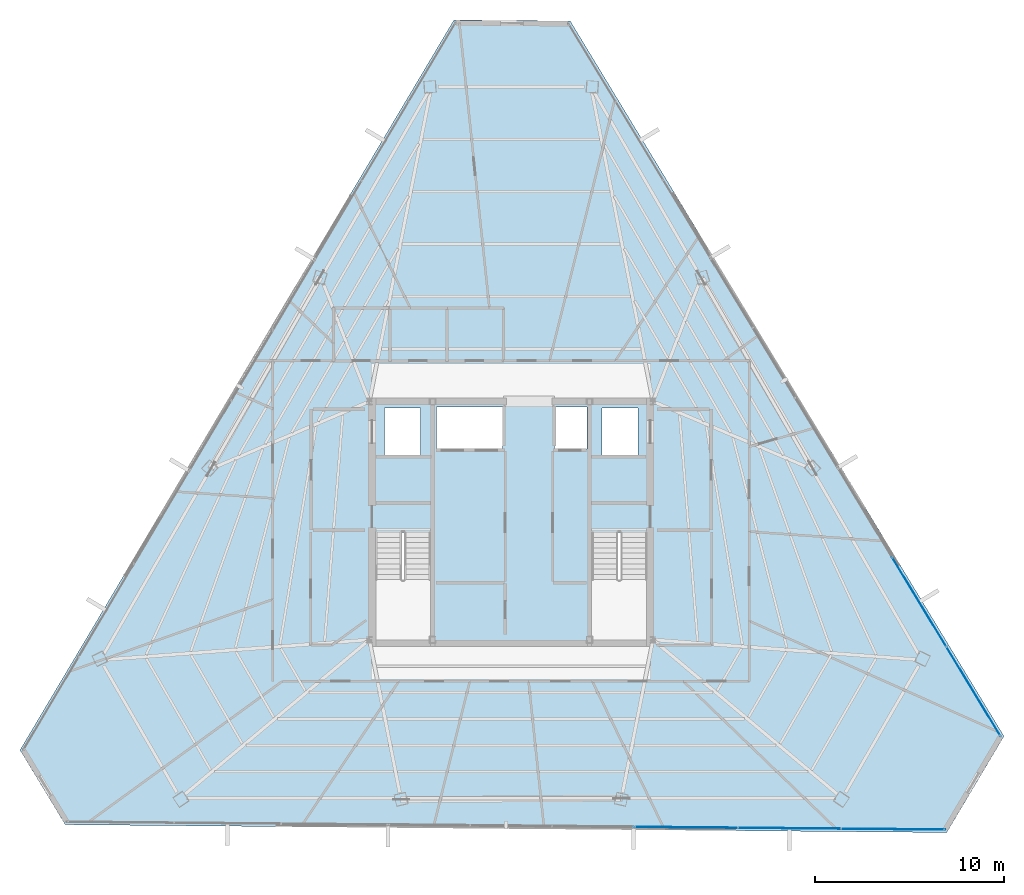
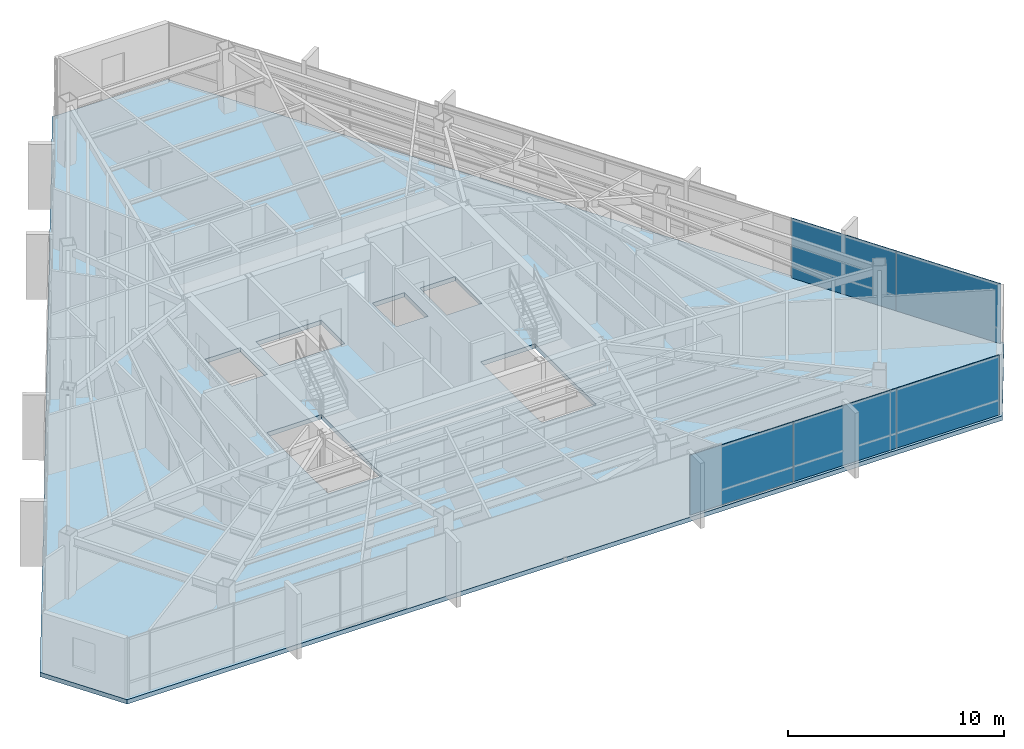
# One storey, part 38 of 46: 5 plates, 1 slab, 2 elements without a shape of their own.
"""IFC4 building model written with IfcOpenShell, lengths in metres."""

from ifc_helpers import new_model, si_unit, direction, frame, origin, origin_2d, place, context, subcontext, project, spatial, polyline, rectangle, outline, extrude, source, transform, mapped, material, layer, layer_set, type_object, type_shapes, element, aggregate, save


model = new_model("IFC4")

# Units and contexts
model_context = context("Model", 3, precision=1e-05, world=origin(), true_north=direction((0.0, 1.0)))
body_context = subcontext(model_context, "Body", "Model", "MODEL_VIEW")
ifc_project = project(units=[si_unit("LENGTHUNIT", "METRE"), si_unit("AREAUNIT", "SQUARE_METRE"), si_unit("VOLUMEUNIT", "CUBIC_METRE"), si_unit("PLANEANGLEUNIT", "RADIAN"), si_unit("MASSUNIT", "GRAM", prefix="KILO")], contexts=[model_context])

# Site, building, storey
site_placement = place(None, origin())
site = spatial("IfcSite", under=ifc_project, at=site_placement, CompositionType="ELEMENT")
building_placement = place(site_placement, origin())
building = spatial("IfcBuilding", under=site, at=building_placement, Name="Caelisora Broadcast Tower", CompositionType="ELEMENT")
storey_placement = place(building_placement, frame((0.0, 0.0, 237.14990234375)))
storey = spatial("IfcBuildingStorey", under=building, at=storey_placement, Name="L62", CompositionType="ELEMENT", Elevation=237.14990234375)

# Slab
ifc_material_1 = material(Name="Concrete 40 MPa (AS 3600 N40)", Category="concrete")
ifc_layer_1 = layer(ifc_material_1, 0.25, Name="Concrete 40 MPa (AS 3600 N40)")
ifc_layer_set_1 = layer_set([ifc_layer_1], Name="Concrete 40 MPa (AS 3600 N40)")
slab_type = type_object("IfcSlabType", Name="SL04", PredefinedType="FLOOR", material=ifc_layer_set_1)
slab_placement = place(storey_placement, frame((0.0, 0.0, -0.25)))
element("IfcSlab", 1, at=slab_placement, inside=storey, type_object=slab_type, Name="L62 suspended floor SL04", PredefinedType="FLOOR", context=body_context, shape_type="SweptSolid", body=[
    extrude(outline(polyline([(41.123046875, 50.118896484375), (34.972900390625, 50.174072265625), (12.027099609375, 11.568115234375), (14.419921875, 7.623046875), (61.033935546875, 7.2060546875), (64.06103515625, 12.299072265625), (41.123046875, 50.118896484375)]), holes=[polyline([(30.820068359375, 17.39990234375), (33.739990234375, 17.39990234375), (33.739990234375, 23.080078125), (30.820068359375, 23.080078125), (30.820068359375, 17.39990234375)]), polyline([(42.260009765625, 17.39990234375), (45.179931640625, 17.39990234375), (45.179931640625, 23.080078125), (42.260009765625, 23.080078125), (42.260009765625, 17.39990234375)]), polyline([(42.800048828125, 27.14990234375), (44.699951171875, 27.14990234375), (44.699951171875, 29.64990234375), (42.800048828125, 29.64990234375), (42.800048828125, 27.14990234375)]), polyline([(40.300048828125, 27.5), (42.0, 27.5), (42.0, 29.699951171875), (40.300048828125, 29.699951171875), (40.300048828125, 27.5)]), polyline([(34.050048828125, 27.5), (37.550048828125, 27.5), (37.550048828125, 29.699951171875), (34.050048828125, 29.699951171875), (34.050048828125, 27.5)]), polyline([(31.300048828125, 27.14990234375), (33.199951171875, 27.14990234375), (33.199951171875, 29.64990234375), (31.300048828125, 29.64990234375), (31.300048828125, 27.14990234375)])]), origin(), (0.0, 0.0, 1.0), 0.25),
])

# Curtain wall, plates
ifc_material_2 = material(Name="Unitised Aluminium and Low-E Glass Curtain Wall", Category="glass")
curtain_wall_type = type_object("IfcCurtainWallType", Name="CW-Z5", PredefinedType="NOTDEFINED", material=ifc_material_2)
curtain_wall_1_placement = place(storey_placement, origin())
curtain_wall_1 = element("IfcCurtainWall", 2, at=curtain_wall_1_placement, inside=storey, type_object=curtain_wall_type, Name="L62 curtain wall CW-Z5", PredefinedType="NOTDEFINED")
ifc_material_3 = material(Name="Double Glazed Low-E Argon IGU", Category="glass")
ifc_layer_2 = layer(ifc_material_3, 0.028076171875, Name="Double Glazed Low-E Argon IGU")
ifc_layer_set_2 = layer_set([ifc_layer_2], Name="Double Glazed Low-E Argon IGU")
plate_type = type_object("IfcPlateType", Name="CWP-06", PredefinedType="CURTAIN_PANEL", material=ifc_layer_set_2)
shared_shape_1 = source(origin(), body_context, "Body", "SweptSolid", [
    extrude(rectangle(XDim=5.535888671875, YDim=0.028076171875, at=origin_2d()), origin(), (0.0, 0.0, 1.0), 3.39990234375),
])
plate_1_placement = place(storey_placement, frame((59.579833984375, 19.398193359375, 0.000244140625), z_axis=(0.0, 0.0, 1.0), x_axis=(0.51862403999, -0.855002400666, 0.0)))
plate_1 = element("IfcPlate", 3, at=plate_1_placement, type_object=plate_type, Name="L62-CW-B03 glazed panel #2", PredefinedType="CURTAIN_PANEL", context=body_context, shape_type="MappedRepresentation", body=[
    mapped(shared_shape_1, transform((0.0, 0.0, 0.0), scale=1.0)),
])
plate_2_placement = place(storey_placement, frame((62.45068359375, 14.664794921875, 0.000244140625), z_axis=(0.0, 0.0, 1.0), x_axis=(0.51862403999, -0.855002400666, 0.0)))
plate_2 = element("IfcPlate", 4, at=plate_2_placement, type_object=plate_type, Name="L62-CW-B03 glazed panel #3", PredefinedType="CURTAIN_PANEL", context=body_context, shape_type="MappedRepresentation", body=[
    mapped(shared_shape_1, transform((0.0, 0.0, 0.0), scale=1.0)),
])
aggregate(curtain_wall_1, [plate_1, plate_2])

curtain_wall_2_placement = place(storey_placement, origin())
curtain_wall_2 = element("IfcCurtainWall", 5, at=curtain_wall_2_placement, inside=storey, type_object=curtain_wall_type, Name="L62 curtain wall CW-Z5", PredefinedType="NOTDEFINED")
shared_shape_2 = source(origin(), body_context, "Body", "SweptSolid", [
    extrude(rectangle(XDim=5.488037109375, YDim=0.028076171875, at=origin_2d()), origin(), (0.0, 0.0, 1.0), 3.39990234375),
])
type_shapes(plate_type, [shared_shape_1, shared_shape_2])
plate_3_placement = place(storey_placement, frame((58.205078125, 7.381591796875, 0.000244140625), z_axis=(0.0, 0.0, 1.0), x_axis=(-0.999960384766, 0.008901061644, 0.0)))
plate_3 = element("IfcPlate", 6, at=plate_3_placement, type_object=plate_type, Name="L62-CW-B05 glazed panel #1", PredefinedType="CURTAIN_PANEL", context=body_context, shape_type="MappedRepresentation", body=[
    mapped(shared_shape_2, transform((0.0, 0.0, 0.0), scale=1.0)),
])
plate_4_placement = place(storey_placement, frame((52.71728515625, 7.4306640625, 0.000244140625), z_axis=(0.0, 0.0, 1.0), x_axis=(-0.999960384766, 0.008901061644, 0.0)))
plate_4 = element("IfcPlate", 7, at=plate_4_placement, type_object=plate_type, Name="L62-CW-B05 glazed panel #2", PredefinedType="CURTAIN_PANEL", context=body_context, shape_type="MappedRepresentation", body=[
    mapped(shared_shape_2, transform((0.0, 0.0, 0.0), scale=1.0)),
])
plate_5_placement = place(storey_placement, frame((47.229248046875, 7.4794921875, 0.000244140625), z_axis=(0.0, 0.0, 1.0), x_axis=(-0.999960384766, 0.008901061644, 0.0)))
plate_5 = element("IfcPlate", 8, at=plate_5_placement, type_object=plate_type, Name="L62-CW-B05 glazed panel #3", PredefinedType="CURTAIN_PANEL", context=body_context, shape_type="MappedRepresentation", body=[
    mapped(shared_shape_2, transform((0.0, 0.0, 0.0), scale=1.0)),
])
aggregate(curtain_wall_2, [plate_3, plate_4, plate_5])

save(model, "model.ifc")
